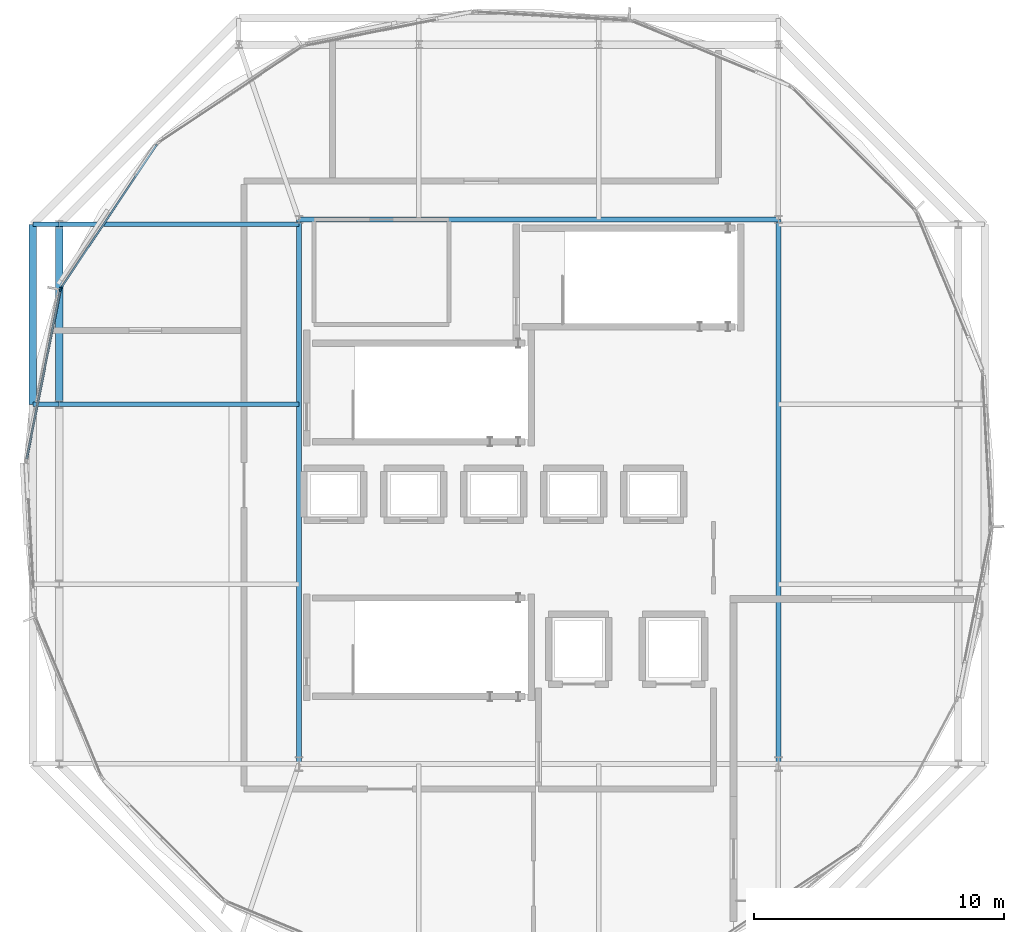
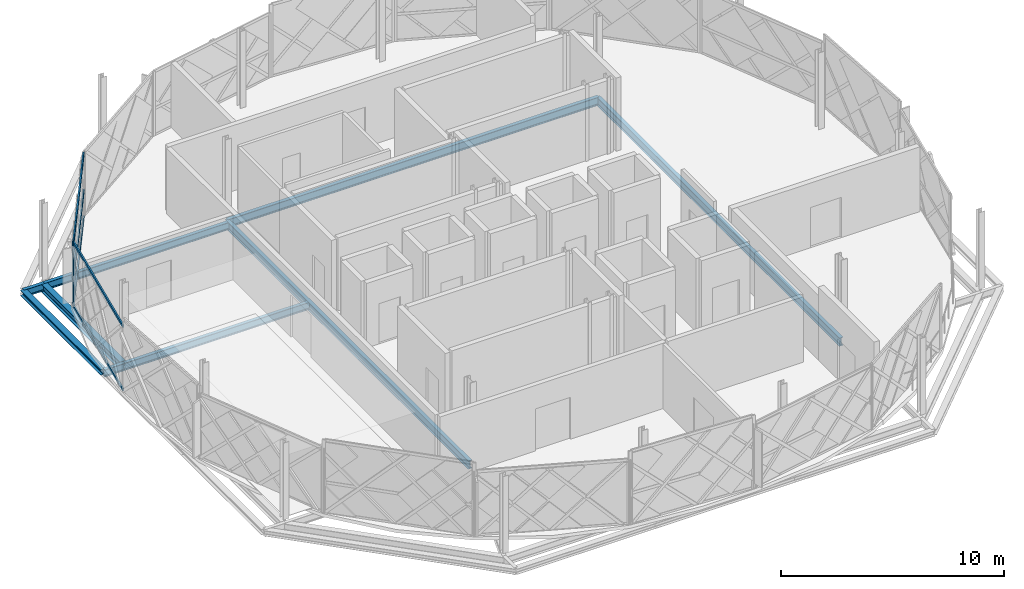
# One storey, part 6 of 15: 9 beams, 7 members, 2 elements without a shape of their own.
"""IFC4 building model written with IfcOpenShell, lengths in metres."""

from ifc_helpers import new_model, si_unit, direction, frame, origin, origin_2d, place, context, subcontext, project, spatial, rectangle, i_section, extrude, material, layer, layer_set, material_profile, profile_set, type_object, element, aggregate, save


model = new_model("IFC4")

# Units and contexts
model_context = context("Model", 3, precision=1e-05, world=origin(), true_north=direction((0.0, 1.0)))
body_context = subcontext(model_context, "Body", "Model", "MODEL_VIEW")
ifc_project = project(units=[si_unit("LENGTHUNIT", "METRE"), si_unit("AREAUNIT", "SQUARE_METRE"), si_unit("VOLUMEUNIT", "CUBIC_METRE"), si_unit("PLANEANGLEUNIT", "RADIAN"), si_unit("MASSUNIT", "GRAM", prefix="KILO")], contexts=[model_context])

# Site, building, storey
site_placement = place(None, origin())
site = spatial("IfcSite", under=ifc_project, at=site_placement, CompositionType="ELEMENT")
building_placement = place(site_placement, origin())
building = spatial("IfcBuilding", under=site, at=building_placement, Name="Zevrakil Square Congress Hotel", CompositionType="ELEMENT")
storey_placement = place(building_placement, frame((0.0, 0.0, 41.89990234375)))
storey = spatial("IfcBuildingStorey", under=building, at=storey_placement, Name="L12", CompositionType="ELEMENT", Elevation=41.89990234375)

# Beams
ifc_material_1 = material(Name="Steel S355", Category="steel")
ifc_material_profile_1 = material_profile(ifc_material_1, i_section(OverallWidth=0.300048828125, OverallDepth=0.43994140625, WebThickness=0.011474609375, FlangeThickness=0.02099609375, FilletRadius=0.027099609375, at=origin_2d()), Name="HEA 450")
ifc_profile_set_1 = profile_set([ifc_material_profile_1], Name="Steel S355")
beam_type_1 = type_object("IfcBeamType", Name="BM-HEA450", PredefinedType="BEAM", material=ifc_profile_set_1)
beam_1_placement = place(storey_placement, frame((127.199951171875, 38.39990234375, -0.469970703125), z_axis=(0.0, -1.0, 0.0), x_axis=(1.0, 0.0, 0.0)))
element("IfcBeam", 1, at=beam_1_placement, inside=storey, type_object=beam_type_1, Name="L12 drum ring girder DRB-13", PredefinedType="BEAM", context=body_context, shape_type="SweptSolid", body=[
    extrude(i_section(OverallWidth=0.300048828125, OverallDepth=0.43994140625, WebThickness=0.011474609375, FlangeThickness=0.02099609375, FilletRadius=0.027099609375, at=origin_2d()), origin(), (0.0, 0.0, 1.0), 7.199951171875),
])
ifc_material_2 = material(Name="Steel S355", Category="steel")
ifc_material_profile_2 = material_profile(ifc_material_2, i_section(OverallWidth=0.18994140625, OverallDepth=0.449951171875, WebThickness=0.009521484375, FlangeThickness=0.0146484375, FilletRadius=0.02099609375, at=origin_2d()), Name="IPE 450")
ifc_profile_set_2 = profile_set([ifc_material_profile_2], Name="Steel S355")
beam_type_2 = type_object("IfcBeamType", Name="BM-IPE450", PredefinedType="BEAM", material=ifc_profile_set_2)
beam_2_placement = place(storey_placement, frame((156.0, 16.800048828125, -0.474853515625), z_axis=(0.0, 1.0, 0.0), x_axis=(-1.0, 0.0, 0.0)))
element("IfcBeam", 2, at=beam_2_placement, inside=storey, type_object=beam_type_2, Name="L12 drum core perimeter tie beam DCB-02", PredefinedType="BEAM", context=body_context, shape_type="SweptSolid", body=[
    extrude(i_section(OverallWidth=0.18994140625, OverallDepth=0.449951171875, WebThickness=0.009521484375, FlangeThickness=0.0146484375, FilletRadius=0.02099609375, at=origin_2d()), origin(), (0.0, 0.0, 1.0), 21.800048828125),
])
beam_3_placement = place(storey_placement, frame((156.0, 38.60009765625, -0.474853515625), z_axis=(-1.0, 0.0, 0.0), x_axis=(0.0, -1.0, 0.0)))
element("IfcBeam", 3, at=beam_3_placement, inside=storey, type_object=beam_type_2, Name="L12 drum core perimeter tie beam DCB-03", PredefinedType="BEAM", context=body_context, shape_type="SweptSolid", body=[
    extrude(i_section(OverallWidth=0.18994140625, OverallDepth=0.449951171875, WebThickness=0.009521484375, FlangeThickness=0.0146484375, FilletRadius=0.02099609375, at=origin_2d()), origin(), (0.0, 0.0, 1.0), 19.199951171875),
])
beam_4_placement = place(storey_placement, frame((136.800048828125, 38.60009765625, -0.474853515625), z_axis=(0.0, -1.0, 0.0), x_axis=(1.0, 0.0, 0.0)))
element("IfcBeam", 4, at=beam_4_placement, inside=storey, type_object=beam_type_2, Name="L12 drum core perimeter tie beam DCB-04", PredefinedType="BEAM", context=body_context, shape_type="SweptSolid", body=[
    extrude(i_section(OverallWidth=0.18994140625, OverallDepth=0.449951171875, WebThickness=0.009521484375, FlangeThickness=0.0146484375, FilletRadius=0.02099609375, at=origin_2d()), origin(), (0.0, 0.0, 1.0), 21.800048828125),
])

# Curtain wall, members
ifc_material_3 = material(Name="Aluminium Anodised Bronze", Category="aluminium")
ifc_layer = layer(ifc_material_3, 0.179931640625)
ifc_layer_set = layer_set([ifc_layer], Name="Aluminium Anodised Bronze")
curtain_wall_type = type_object("IfcCurtainWallType", Name="CW-L12-720", PredefinedType="USERDEFINED", material=ifc_layer_set)
curtain_wall_1_placement = place(storey_placement, origin())
curtain_wall_1 = element("IfcCurtainWall", 5, at=curtain_wall_1_placement, inside=storey, type_object=curtain_wall_type, Name="L12 diamond curtain wall CW-L12-0312", ObjectType="GLAZED CURTAIN WALL", PredefinedType="USERDEFINED")
ifc_material_4 = material(Name="Aluminium Anodised Bronze", Category="aluminium")
ifc_material_profile_3 = material_profile(ifc_material_4, rectangle(XDim=0.074951171875, YDim=0.14990234375, at=origin_2d()), Name="ALU 75x150")
ifc_profile_set_3 = profile_set([ifc_material_profile_3], Name="Aluminium Anodised Bronze")
member_type_1 = type_object("IfcMemberType", Name="CWM-ALU75x150", PredefinedType="USERDEFINED", material=ifc_profile_set_3)
member_1_placement = place(storey_placement, frame((131.114501953125, 41.602294921875, 0.030029296875), z_axis=(-0.555559025079, -0.8314771011, 0.0), x_axis=(0.8314771011, -0.555559025079, 0.0)))
member_1 = element("IfcMember", 6, at=member_1_placement, type_object=member_type_1, Name="CW-142 transom 1.1", ObjectType="TRANSOM", PredefinedType="USERDEFINED", context=body_context, shape_type="SweptSolid", body=[
    extrude(rectangle(XDim=0.074951171875, YDim=0.14990234375, at=origin_2d()), origin(), (0.0, 0.0, 1.0), 6.8857421875),
])
member_2_placement = place(storey_placement, frame((131.114501953125, 41.602294921875, 1.48681640625), z_axis=(-0.555559025079, -0.8314771011, 0.0), x_axis=(0.8314771011, -0.555559025079, 0.0)))
member_2 = element("IfcMember", 7, at=member_2_placement, type_object=member_type_1, Name="CW-142 transom 1.2", ObjectType="TRANSOM", PredefinedType="USERDEFINED", context=body_context, shape_type="SweptSolid", body=[
    extrude(rectangle(XDim=0.074951171875, YDim=0.14990234375, at=origin_2d()), origin(), (0.0, 0.0, 1.0), 6.8857421875),
])
member_3_placement = place(storey_placement, frame((131.114501953125, 41.602294921875, 3.510009765625), z_axis=(-0.555559025079, -0.8314771011, 0.0), x_axis=(0.8314771011, -0.555559025079, 0.0)))
member_3 = element("IfcMember", 8, at=member_3_placement, type_object=member_type_1, Name="CW-142 transom 1.3", ObjectType="TRANSOM", PredefinedType="USERDEFINED", context=body_context, shape_type="SweptSolid", body=[
    extrude(rectangle(XDim=0.074951171875, YDim=0.14990234375, at=origin_2d()), origin(), (0.0, 0.0, 1.0), 6.8857421875),
])

curtain_wall_2_placement = place(storey_placement, origin())
curtain_wall_2 = element("IfcCurtainWall", 9, at=curtain_wall_2_placement, inside=storey, type_object=curtain_wall_type, Name="L12 diamond curtain wall CW-L12-0313", ObjectType="GLAZED CURTAIN WALL", PredefinedType="USERDEFINED")
member_4_placement = place(storey_placement, frame((127.243896484375, 35.768310546875, 0.030029296875), z_axis=(-0.195079615704, -0.98078740996, 0.0), x_axis=(0.98078740996, -0.195079615704, 0.0)))
member_4 = element("IfcMember", 10, at=member_4_placement, type_object=member_type_1, Name="CW-142 transom 1.1", ObjectType="TRANSOM", PredefinedType="USERDEFINED", context=body_context, shape_type="SweptSolid", body=[
    extrude(rectangle(XDim=0.074951171875, YDim=0.14990234375, at=origin_2d()), origin(), (0.0, 0.0, 1.0), 6.8857421875),
])
member_5_placement = place(storey_placement, frame((127.243896484375, 35.768310546875, 3.510009765625), z_axis=(-0.195079615704, -0.98078740996, 0.0), x_axis=(0.98078740996, -0.195079615704, 0.0)))
member_5 = element("IfcMember", 11, at=member_5_placement, type_object=member_type_1, Name="CW-142 transom 1.2", ObjectType="TRANSOM", PredefinedType="USERDEFINED", context=body_context, shape_type="SweptSolid", body=[
    extrude(rectangle(XDim=0.074951171875, YDim=0.14990234375, at=origin_2d()), origin(), (0.0, 0.0, 1.0), 6.8857421875),
])

# Member
ifc_material_5 = material(Name="Aluminium Anodised Bronze", Category="aluminium")
ifc_material_profile_4 = material_profile(ifc_material_5, rectangle(XDim=0.074951171875, YDim=0.179931640625, at=origin_2d()), Name="ALU 75x180")
ifc_profile_set_4 = profile_set([ifc_material_profile_4], Name="Aluminium Anodised Bronze")
member_type_2 = type_object("IfcMemberType", Name="CWM-ALU75x180", PredefinedType="MULLION", material=ifc_profile_set_4)
member_6_placement = place(storey_placement, frame((127.2724609375, 35.85205078125, 0.0), z_axis=(0.0, 0.0, 1.0), x_axis=(0.831465693332, -0.555576098128, 0.0)))
member_6 = element("IfcMember", 12, at=member_6_placement, type_object=member_type_2, Name="CW-142 mullion 2", PredefinedType="MULLION", context=body_context, shape_type="SweptSolid", body=[
    extrude(rectangle(XDim=0.074951171875, YDim=0.179931640625, at=origin_2d()), origin(), (0.0, 0.0, 1.0), 3.5400390625),
])

aggregate(curtain_wall_1, [member_6, member_1, member_2, member_3])

member_7_placement = place(storey_placement, frame((127.249755859375, 35.797607421875, 0.0), z_axis=(0.0, 0.0, 1.0), x_axis=(0.980786557708, -0.195083900459, 0.0)))
member_7 = element("IfcMember", 13, at=member_7_placement, type_object=member_type_2, Name="CW-142 mullion 1", PredefinedType="MULLION", context=body_context, shape_type="SweptSolid", body=[
    extrude(rectangle(XDim=0.074951171875, YDim=0.179931640625, at=origin_2d()), origin(), (0.0, 0.0, 1.0), 3.5400390625),
])

aggregate(curtain_wall_2, [member_7, member_4, member_5])

# Beams
ifc_material_6 = material(Name="Steel S355", Category="steel")
ifc_material_profile_5 = material_profile(ifc_material_6, i_section(OverallWidth=0.179931640625, OverallDepth=0.39990234375, WebThickness=0.008544921875, FlangeThickness=0.013427734375, FilletRadius=0.02099609375, at=origin_2d()), Name="IPE 400")
ifc_profile_set_5 = profile_set([ifc_material_profile_5], Name="Steel S355")
beam_type_3 = type_object("IfcBeamType", Name="JST-IPE400", PredefinedType="JOIST", material=ifc_profile_set_5)
beam_5_placement = place(storey_placement, frame((136.800048828125, 38.39990234375, -0.449951171875), z_axis=(-1.0, 0.0, 0.0), x_axis=(0.0, -1.0, 0.0)))
element("IfcBeam", 14, at=beam_5_placement, inside=storey, type_object=beam_type_3, Name="L12 drum radial floor beam DRI-13", PredefinedType="JOIST", context=body_context, shape_type="SweptSolid", body=[
    extrude(i_section(OverallWidth=0.179931640625, OverallDepth=0.39990234375, WebThickness=0.008544921875, FlangeThickness=0.013427734375, FilletRadius=0.02099609375, at=origin_2d()), origin(), (0.0, 0.0, 1.0), 9.60009765625),
])
beam_6_placement = place(storey_placement, frame((127.199951171875, 38.39990234375, -0.449951171875), z_axis=(-1.0, 0.0, 0.0), x_axis=(0.0, -1.0, 0.0)))
element("IfcBeam", 15, at=beam_6_placement, inside=storey, type_object=beam_type_3, Name="L12 drum radial edge cantilever beam DRO-13", PredefinedType="JOIST", context=body_context, shape_type="SweptSolid", body=[
    extrude(i_section(OverallWidth=0.179931640625, OverallDepth=0.39990234375, WebThickness=0.008544921875, FlangeThickness=0.013427734375, FilletRadius=0.02099609375, at=origin_2d()), origin(), (0.0, 0.0, 1.0), 1.051025390625),
])
beam_7_placement = place(storey_placement, frame((136.800048828125, 31.199951171875, -0.449951171875), z_axis=(-1.0, 0.0, 0.0), x_axis=(0.0, -1.0, 0.0)))
element("IfcBeam", 16, at=beam_7_placement, inside=storey, type_object=beam_type_3, Name="L12 drum radial floor beam DRI-14", PredefinedType="JOIST", context=body_context, shape_type="SweptSolid", body=[
    extrude(i_section(OverallWidth=0.179931640625, OverallDepth=0.39990234375, WebThickness=0.008544921875, FlangeThickness=0.013427734375, FilletRadius=0.02099609375, at=origin_2d()), origin(), (0.0, 0.0, 1.0), 9.60009765625),
])
beam_8_placement = place(storey_placement, frame((127.199951171875, 31.199951171875, -0.449951171875), z_axis=(-1.0, 0.0, 0.0), x_axis=(0.0, -1.0, 0.0)))
element("IfcBeam", 17, at=beam_8_placement, inside=storey, type_object=beam_type_3, Name="L12 drum radial edge cantilever beam DRO-14", PredefinedType="JOIST", context=body_context, shape_type="SweptSolid", body=[
    extrude(i_section(OverallWidth=0.179931640625, OverallDepth=0.39990234375, WebThickness=0.008544921875, FlangeThickness=0.013427734375, FilletRadius=0.02099609375, at=origin_2d()), origin(), (0.0, 0.0, 1.0), 1.051025390625),
])
ifc_material_7 = material(Name="Steel S355", Category="steel")
ifc_material_profile_6 = material_profile(ifc_material_7, i_section(OverallWidth=0.300048828125, OverallDepth=0.300048828125, WebThickness=0.010986328125, FlangeThickness=0.01904296875, FilletRadius=0.027099609375, at=origin_2d()), Name="HEB 300")
ifc_profile_set_6 = profile_set([ifc_material_profile_6], Name="Steel S355")
beam_type_4 = type_object("IfcBeamType", Name="SPD-RHS250", PredefinedType="SPANDREL", material=ifc_profile_set_6)
beam_9_placement = place(storey_placement, frame((126.14892578125, 38.39990234375, -0.39990234375), z_axis=(0.0, -1.0, 0.0), x_axis=(1.0, 0.0, 0.0)))
element("IfcBeam", 18, at=beam_9_placement, inside=storey, type_object=beam_type_4, Name="L12 drum edge spandrel beam DSP-12", PredefinedType="SPANDREL", context=body_context, shape_type="SweptSolid", body=[
    extrude(i_section(OverallWidth=0.300048828125, OverallDepth=0.300048828125, WebThickness=0.010986328125, FlangeThickness=0.01904296875, FilletRadius=0.027099609375, at=origin_2d()), origin(), (0.0, 0.0, 1.0), 7.199951171875),
])

save(model, "model.ifc")
